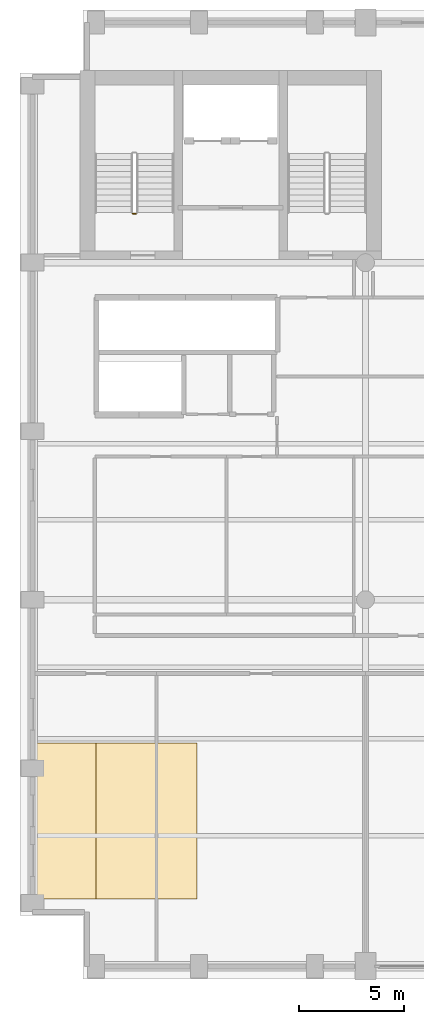
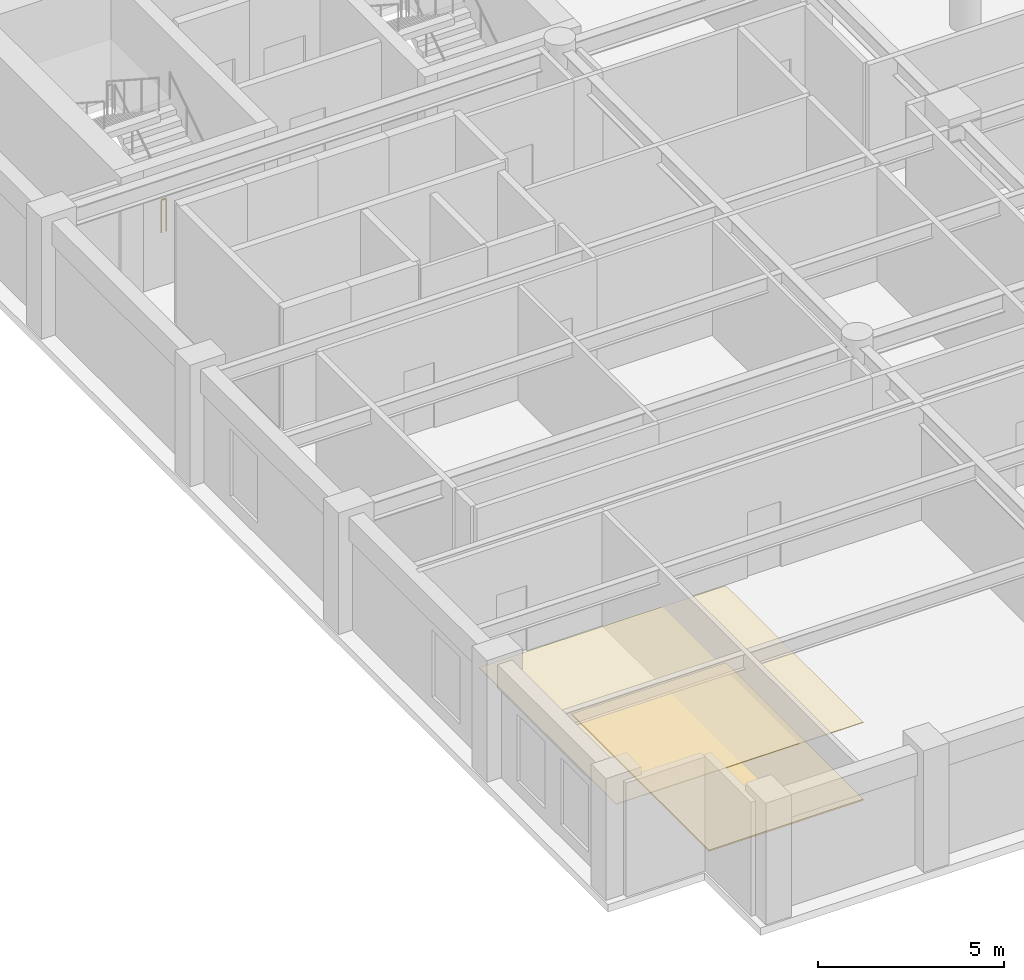
# One storey, part 11 of 13: 2 coverings, 1 railing.
"""IFC4 building model written with IfcOpenShell, lengths in metres."""

from ifc_helpers import new_model, si_unit, direction, frame, origin, origin_2d, place, context, subcontext, project, spatial, polyline, circle, outline, extrude, material, layer, layer_set, type_object, element, save


model = new_model("IFC4")

# Units and contexts
model_context = context("Model", 3, precision=1e-05, world=origin(), true_north=direction((0.0, 1.0)))
body_context = subcontext(model_context, "Body", "Model", "MODEL_VIEW")
ifc_project = project(units=[si_unit("LENGTHUNIT", "METRE"), si_unit("AREAUNIT", "SQUARE_METRE"), si_unit("VOLUMEUNIT", "CUBIC_METRE"), si_unit("PLANEANGLEUNIT", "RADIAN"), si_unit("MASSUNIT", "GRAM", prefix="KILO")], contexts=[model_context])

# Site, building, storey
site_placement = place(None, origin())
site = spatial("IfcSite", under=ifc_project, at=site_placement, CompositionType="ELEMENT")
building_placement = place(site_placement, origin())
building = spatial("IfcBuilding", under=site, at=building_placement, Name="Sulina Concourse Tower", CompositionType="ELEMENT")
storey_placement = place(building_placement, frame((0.0, 0.0, 202.60009765625)))
storey = spatial("IfcBuildingStorey", under=building, at=storey_placement, Name="L49", CompositionType="ELEMENT", Elevation=202.60009765625)

# Railing
ifc_material_1 = material(Name="Galvanised steel railing", Category="steel")
railing_type = type_object("IfcRailingType", Name="Core Stair Steel Guardrail 1150mm", PredefinedType="GUARDRAIL", material=ifc_material_1)
railing_placement = place(storey_placement, frame((5.5048828125, 36.324951171875, 0.0)))
element("IfcRailing", 1, at=railing_placement, inside=storey, type_object=railing_type, Name="L49 ST-1 stair guard 4", PredefinedType="GUARDRAIL", context=body_context, shape_type="SweptSolid", body=[
    extrude(circle(Radius=0.02392578125, at=origin_2d()), frame((0.0, 0.0, 1.076171875), z_axis=(-1.0, 0.0, 0.0), x_axis=(0.0, -1.0, 0.0)), (0.0, 0.0, 1.0), 0.14990234375),
    extrude(circle(Radius=0.02099609375, at=origin_2d()), origin(), (0.0, 0.0, 1.0), 1.052001953125),
    extrude(circle(Radius=0.02099609375, at=origin_2d()), frame((-0.14990234375, 0.0, 0.0)), (0.0, 0.0, 1.0), 1.052001953125),
])

# Coverings
ifc_material_2 = material(Name="Polished granite flooring", Category="masonry")
ifc_layer_1 = layer(ifc_material_2, 0.044921875)
ifc_layer_set_1 = layer_set([ifc_layer_1], Name="Polished granite flooring")
covering_type_1 = type_object("IfcCoveringType", Name="Polished Granite & Raised Access Flooring 45mm", PredefinedType="FLOORING", material=ifc_layer_set_1)
covering_1_placement = place(storey_placement, origin())
element("IfcCovering", 2, at=covering_1_placement, inside=storey, type_object=covering_type_1, Name="L49 raised access floor finish", PredefinedType="FLOORING", context=body_context, shape_type="SweptSolid", body=[
    extrude(outline(polyline([(3.60009765625, 3.800048828125), (8.39990234375, 3.800048828125), (8.39990234375, 11.199951171875), (3.60009765625, 11.199951171875), (3.60009765625, 3.800048828125)])), origin(), (0.0, 0.0, 1.0), 0.044921875),
])
ifc_material_3 = material(Name="Acoustic mineral ceiling board")
ifc_layer_2 = layer(ifc_material_3, 0.02490234375)
ifc_layer_set_2 = layer_set([ifc_layer_2], Name="Acoustic mineral ceiling board")
covering_type_2 = type_object("IfcCoveringType", Name="Suspended Acoustic Mineral Ceiling 25mm", PredefinedType="CEILING", material=ifc_layer_set_2)
covering_2_placement = place(storey_placement, frame((0.0, 0.0, 2.5498046875)))
element("IfcCovering", 3, at=covering_2_placement, inside=storey, type_object=covering_type_2, Name="L49 suspended acoustic tile ceiling", PredefinedType="CEILING", context=body_context, shape_type="SweptSolid", body=[
    extrude(outline(polyline([(0.719970703125, 3.800048828125), (8.39990234375, 3.800048828125), (8.39990234375, 11.199951171875), (0.719970703125, 11.199951171875), (0.719970703125, 3.800048828125)])), origin(), (0.0, 0.0, 1.0), 0.025146484375),
])

save(model, "model.ifc")
